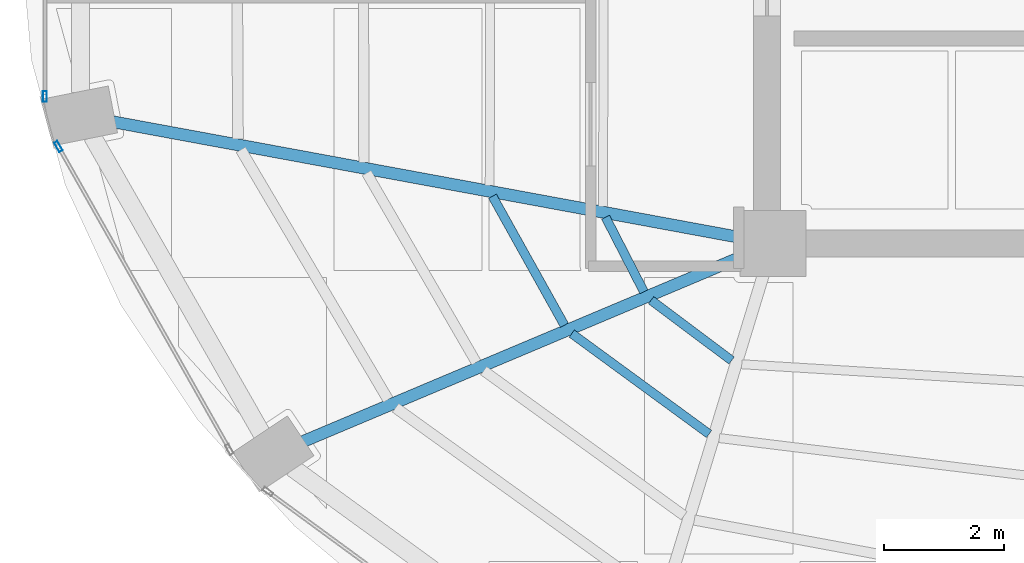
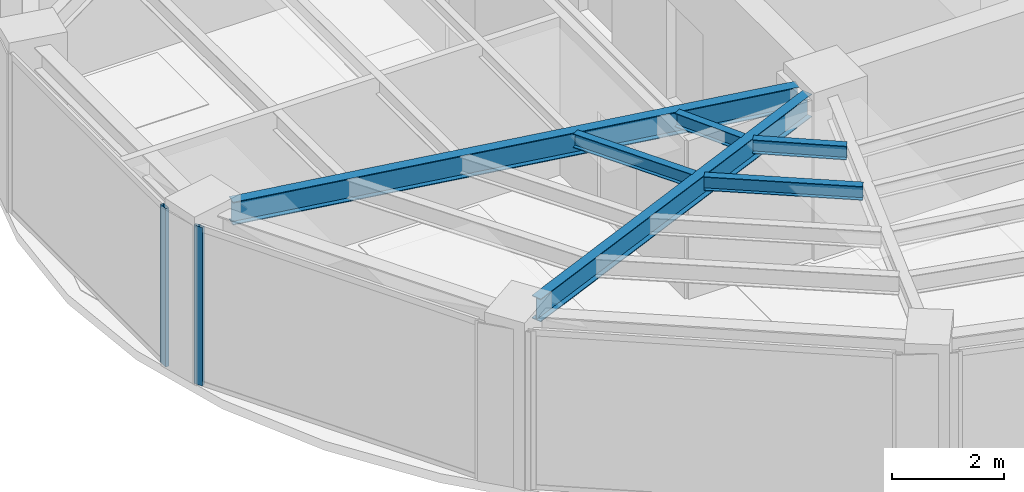
# One storey, part 4 of 22: 6 beams, 2 members, 2 elements without a shape of their own.
"""IFC4 building model written with IfcOpenShell, lengths in metres."""

import ifcopenshell
import ifcopenshell.guid

model = None  # the IFC model being written
_history = None  # IfcOwnerHistory: only IFC2X3 demands one
_inside = {}  # id of a spatial element -> (the spatial element, [elements in it])
_under = {}  # id of a project, library or spatial element -> (it, [spatial elements below it])
_declared = {}  # id of a project -> (the project, [libraries it declares])
_typed = {}  # id of a type object -> (the type object, [elements of that type])
_made_of = {}  # id of a material, layer set ... -> (it, [elements and type objects made of it])


def new_model(schema):
    """Start an empty IFC model of exactly this schema.

    Asked for "IFC4X3", IfcOpenShell would pick the latest addendum, in which some entities
    have other attributes; the version numbers below select the first issue.
    IFC2X3 requires an IfcOwnerHistory on every rooted entity: one is made here for all.
    """
    global model, _history
    if schema == "IFC4X3":
        model = ifcopenshell.file(schema_version=(4, 3, 0, 0))
    else:
        model = ifcopenshell.file(schema=schema)
    _inside.clear()
    _under.clear()
    _declared.clear()
    _typed.clear()
    _made_of.clear()
    _history = None
    if model.schema == "IFC2X3":
        org = make("IfcOrganization", Name="unknown")
        user = make(
            "IfcPersonAndOrganization",
            ThePerson=make("IfcPerson", FamilyName="unknown"),
            TheOrganization=org,
        )
        app = make(
            "IfcApplication",
            ApplicationDeveloper=org,
            Version="unknown",
            ApplicationFullName="unknown",
            ApplicationIdentifier="unknown",
        )
        _history = make(
            "IfcOwnerHistory",
            OwningUser=user,
            OwningApplication=app,
            ChangeAction="ADDED",
            CreationDate=0,
        )
    return model


def make(cls, **values):
    """One entity of the class cls with the attributes given. An attribute that is None is left unset."""
    return model.create_entity(
        cls, **{name: value for name, value in values.items() if value is not None}
    )


def rooted(cls, **values):
    """An entity with a GlobalId (a new one), such as an element, a storey or a relation."""
    return make(cls, GlobalId=ifcopenshell.guid.new(), OwnerHistory=_history, **values)


def si_unit(unit_type, name, prefix=None):
    """IfcSIUnit, for example si_unit("LENGTHUNIT", "METRE", prefix="MILLI")."""
    return make("IfcSIUnit", UnitType=unit_type, Prefix=prefix, Name=name)


def assignment(units):
    """IfcUnitAssignment: the units of a project."""
    return None if units is None else make("IfcUnitAssignment", Units=units)


def point(xyz):
    """IfcCartesianPoint."""
    return None if xyz is None else make("IfcCartesianPoint", Coordinates=xyz)


def direction(xyz):
    """IfcDirection."""
    return None if xyz is None else make("IfcDirection", DirectionRatios=xyz)


def frame(location, z_axis=None, x_axis=None):
    """IfcAxis2Placement3D, a coordinate frame: its origin and axes. An axis left out is left unset."""
    return make(
        "IfcAxis2Placement3D",
        Location=point(location),
        Axis=direction(z_axis),
        RefDirection=direction(x_axis),
    )


def frame_2d(location, x_axis=None):
    """IfcAxis2Placement2D, a coordinate frame in the plane: its origin and x axis."""
    return make(
        "IfcAxis2Placement2D", Location=point(location), RefDirection=direction(x_axis)
    )


def origin():
    """The frame at (0, 0, 0) with its axes left unset."""
    return frame((0.0, 0.0, 0.0))


def origin_2d():
    """The frame at (0, 0) in the plane with its x axis left unset."""
    return frame_2d((0.0, 0.0))


def place(relative_to, where):
    """IfcLocalPlacement: puts the frame where relative to a parent placement (None: the world)."""
    return make(
        "IfcLocalPlacement", PlacementRelTo=relative_to, RelativePlacement=where
    )


def context(
    kind, dimensions, precision=None, world=None, true_north=None, identifier=None
):
    """IfcGeometricRepresentationContext, for example the 3D "Model" context."""
    return make(
        "IfcGeometricRepresentationContext",
        ContextIdentifier=identifier,
        ContextType=kind,
        CoordinateSpaceDimension=dimensions,
        Precision=precision,
        WorldCoordinateSystem=world,
        TrueNorth=true_north,
    )


def subcontext(parent, identifier, kind, view, scale=None):
    """IfcGeometricRepresentationSubContext, for example "Body" below "Model"."""
    return make(
        "IfcGeometricRepresentationSubContext",
        ContextIdentifier=identifier,
        ContextType=kind,
        ParentContext=parent,
        TargetScale=scale,
        TargetView=view,
    )


def project(units=None, contexts=None):
    """IfcProject with its units and contexts."""
    return rooted(
        "IfcProject",
        Name="project",
        RepresentationContexts=contexts,
        UnitsInContext=assignment(units),
    )


def spatial(cls, under=None, at=None, **own):
    """A site, building, storey or space (cls), placed at a placement, below another one or the project."""
    s = rooted(cls, ObjectPlacement=at, **own)
    if under is not None:
        _under.setdefault(under.id(), (under, []))[1].append(s)
    return s


def profile(cls, at=None, kind="AREA", **sizes):
    """A parametric profile (cls). Its sizes go by their IFC names, for example OverallWidth=200.0."""
    return make(cls, ProfileType=kind, Position=at, **sizes)


def hollow_rectangle(**sizes):
    """IfcRectangleHollowProfileDef."""
    return profile("IfcRectangleHollowProfileDef", **sizes)


def i_section(**sizes):
    """IfcIShapeProfileDef."""
    return profile("IfcIShapeProfileDef", **sizes)


def extrude(swept, where, along, depth):
    """IfcExtrudedAreaSolid: the profile swept, set in the frame where, extruded along a direction by depth."""
    return make(
        "IfcExtrudedAreaSolid",
        SweptArea=swept,
        Position=where,
        ExtrudedDirection=direction(along),
        Depth=depth,
    )


def shape(context_of_items, identifier, shape_type, items):
    """IfcShapeRepresentation: the items that make up one representation, for example the "Body"."""
    return make(
        "IfcShapeRepresentation",
        ContextOfItems=context_of_items,
        RepresentationIdentifier=identifier,
        RepresentationType=shape_type,
        Items=items,
    )


def material(Name=None, Category=None):
    """IfcMaterial."""
    return make("IfcMaterial", Name=Name, Category=Category)


def layer(
    of_material, thickness, ventilated=None, Name=None, Category=None, Priority=None
):
    """IfcMaterialLayer: one layer of a wall or slab, of a material (None: an air gap)."""
    return make(
        "IfcMaterialLayer",
        Material=of_material,
        LayerThickness=thickness,
        IsVentilated=ventilated,
        Name=Name,
        Category=Category,
        Priority=Priority,
    )


def layer_set(layers, Name=None):
    """IfcMaterialLayerSet."""
    return make("IfcMaterialLayerSet", MaterialLayers=layers, LayerSetName=Name)


def material_profile(
    of_material, cross_section, Name=None, Category=None, Priority=None
):
    """IfcMaterialProfile: a cross section and its material."""
    return make(
        "IfcMaterialProfile",
        Name=Name,
        Material=of_material,
        Profile=cross_section,
        Priority=Priority,
        Category=Category,
    )


def profile_set(profiles, Name=None, composite=None):
    """IfcMaterialProfileSet."""
    return make(
        "IfcMaterialProfileSet",
        Name=Name,
        MaterialProfiles=profiles,
        CompositeProfile=composite,
    )


def made_of(thing, what):
    """Note that an element or type object is made of a material, layer set ...; save() writes the relation."""
    if what is not None:
        _made_of.setdefault(what.id(), (what, []))[1].append(thing)
    return thing


def type_object(cls, material=None, **own):
    """A type object (cls), such as IfcWallType, which elements share."""
    return made_of(rooted(cls, **own), material)


def element(
    cls,
    number,
    at=None,
    inside=None,
    cuts=None,
    type_object=None,
    material=None,
    context=None,
    identifier="Body",
    shape_type=None,
    held_by="IfcProductDefinitionShape",
    body=None,
    shapes=None,
    **own,
):
    """One element of the class cls, such as IfcWall. Its Tag is "e" and its number.

    at: its placement. inside: the storey or other place that contains it. cuts: it is an
    opening in that element (IfcRelVoidsElement). A single representation is given by context,
    identifier, shape_type and body (its items); several are given by shapes. held_by: the class
    of the entity that holds the representations. save() writes the other relations.
    """
    e = rooted(cls, Tag="e%d" % number, ObjectPlacement=at, **own)
    if body is not None:
        shapes = [shape(context, identifier, shape_type, body)]
    if shapes is not None:
        e.Representation = make(held_by, Representations=shapes)
    if inside is not None:
        _inside.setdefault(inside.id(), (inside, []))[1].append(e)
    if cuts is not None:
        rooted(
            "IfcRelVoidsElement", RelatingBuildingElement=cuts, RelatedOpeningElement=e
        )
    if type_object is not None:
        _typed.setdefault(type_object.id(), (type_object, []))[1].append(e)
    return made_of(e, material)


def aggregate(whole, parts):
    """IfcRelAggregates: a whole, such as a stair, and the parts it consists of."""
    return rooted("IfcRelAggregates", RelatingObject=whole, RelatedObjects=parts)


def save(model, path):
    """Write the relations noted so far, then the file.

    IfcRelAggregates (storeys below a building ...), IfcRelContainedInSpatialStructure (elements
    in a storey), IfcRelDefinesByType, IfcRelAssociatesMaterial and IfcRelDeclares: one each for
    every whole, place, type object, material and project.
    """
    for whole, parts in _under.values():
        aggregate(whole, parts)
    for where, things in _inside.values():
        rooted(
            "IfcRelContainedInSpatialStructure",
            RelatedElements=things,
            RelatingStructure=where,
        )
    for kind, things in _typed.values():
        rooted("IfcRelDefinesByType", RelatedObjects=things, RelatingType=kind)
    for what, things in _made_of.values():
        rooted("IfcRelAssociatesMaterial", RelatedObjects=things, RelatingMaterial=what)
    for by, libraries in _declared.values():
        rooted("IfcRelDeclares", RelatingContext=by, RelatedDefinitions=libraries)
    model.write(path)


model = new_model("IFC4")

# Units and contexts
model_context = context("Model", 3, precision=1e-05, world=origin(), true_north=direction((0.0, 1.0)))
body_context = subcontext(model_context, "Body", "Model", "MODEL_VIEW")
ifc_project = project(units=[si_unit("LENGTHUNIT", "METRE"), si_unit("AREAUNIT", "SQUARE_METRE"), si_unit("VOLUMEUNIT", "CUBIC_METRE"), si_unit("PLANEANGLEUNIT", "RADIAN"), si_unit("MASSUNIT", "GRAM", prefix="KILO")], contexts=[model_context])

# Site, building, storey
site_placement = place(None, origin())
site = spatial("IfcSite", under=ifc_project, at=site_placement, CompositionType="ELEMENT")
building_placement = place(site_placement, origin())
building = spatial("IfcBuilding", under=site, at=building_placement, Name="Lazwardi Medical Tower", CompositionType="ELEMENT")
storey_placement = place(building_placement, frame((0.0, 0.0, 238.60791015625)))
storey = spatial("IfcBuildingStorey", under=building, at=storey_placement, Name="L62", CompositionType="ELEMENT", Elevation=238.60791015625)

# Beams
ifc_material_1 = material(Name="Steel S355", Category="steel")
ifc_material_profile_1 = material_profile(ifc_material_1, i_section(OverallWidth=0.199951171875, OverallDepth=0.5, WebThickness=0.01025390625, FlangeThickness=0.01611328125, at=origin_2d()), Name="IPE 500")
ifc_profile_set_1 = profile_set([ifc_material_profile_1], Name="Steel S355")
beam_type_1 = type_object("IfcBeamType", Name="BM-RG-W3", PredefinedType="BEAM", material=ifc_profile_set_1)
beam_1_placement = place(storey_placement, frame((15.341064453125, 22.43994140625, 3.197998046875), z_axis=(0.983409341459, -0.181400295288, 0.0), x_axis=(0.181400295288, 0.983409341459, 0.0)))
element("IfcBeam", 1, at=beam_1_placement, inside=storey, type_object=beam_type_1, Name="Radial girder RG-04 R13 L62", PredefinedType="BEAM", context=body_context, shape_type="SweptSolid", body=[
    extrude(i_section(OverallWidth=0.199951171875, OverallDepth=0.5, WebThickness=0.01025390625, FlangeThickness=0.01611328125, at=origin_2d()), origin(), (0.0, 0.0, 1.0), 10.71044921875),
])
beam_2_placement = place(storey_placement, frame((18.533203125, 17.085205078125, 3.197998046875), z_axis=(0.921526791352, 0.388314785735, 0.0), x_axis=(-0.388314785735, 0.921526791352, 0.0)))
element("IfcBeam", 2, at=beam_2_placement, inside=storey, type_object=beam_type_1, Name="Radial girder RG-04 R14 L62", PredefinedType="BEAM", context=body_context, shape_type="SweptSolid", body=[
    extrude(i_section(OverallWidth=0.199951171875, OverallDepth=0.5, WebThickness=0.01025390625, FlangeThickness=0.01611328125, at=origin_2d()), origin(), (0.0, 0.0, 1.0), 8.001708984375),
])
ifc_material_profile_2 = material_profile(ifc_material_1, i_section(OverallWidth=0.14990234375, OverallDepth=0.300048828125, WebThickness=0.007080078125, FlangeThickness=0.0107421875, at=origin_2d()), Name="IPE 300")
ifc_profile_set_2 = profile_set([ifc_material_profile_2], Name="Steel S355")
beam_type_2 = type_object("IfcBeamType", Name="BM-SJ-03", PredefinedType="JOIST", material=ifc_profile_set_2)
beam_3_placement = place(storey_placement, frame((21.70703125, 21.19140625, 3.298095703125), z_axis=(0.487092942089, -0.873350139272, 0.0), x_axis=(0.873350139272, 0.487092942089, 0.0)))
element("IfcBeam", 3, at=beam_3_placement, inside=storey, type_object=beam_type_2, Name="Secondary joist SJ-03 R3 B13 L62", PredefinedType="JOIST", context=body_context, shape_type="SweptSolid", body=[
    extrude(i_section(OverallWidth=0.14990234375, OverallDepth=0.300048828125, WebThickness=0.007080078125, FlangeThickness=0.0107421875, at=origin_2d()), origin(), (0.0, 0.0, 1.0), 2.471923828125),
])
beam_4_placement = place(storey_placement, frame((23.0341796875, 18.893310546875, 3.298095703125), z_axis=(0.80703431267, -0.59050454543, 0.0), x_axis=(0.59050454543, 0.80703431267, 0.0)))
element("IfcBeam", 4, at=beam_4_placement, inside=storey, type_object=beam_type_2, Name="Secondary joist SJ-03 R3 B14 L62", PredefinedType="JOIST", context=body_context, shape_type="SweptSolid", body=[
    extrude(i_section(OverallWidth=0.14990234375, OverallDepth=0.300048828125, WebThickness=0.007080078125, FlangeThickness=0.0107421875, at=origin_2d()), origin(), (0.0, 0.0, 1.0), 2.846923828125),
])
beam_5_placement = place(storey_placement, frame((23.60009765625, 20.840087890625, 3.298095703125), z_axis=(0.457285056668, -0.889320176848, 0.0), x_axis=(0.889320176848, 0.457285056668, 0.0)))
element("IfcBeam", 5, at=beam_5_placement, inside=storey, type_object=beam_type_2, Name="Secondary joist SJ-03 R4 B13 L62", PredefinedType="JOIST", context=body_context, shape_type="SweptSolid", body=[
    extrude(i_section(OverallWidth=0.14990234375, OverallDepth=0.300048828125, WebThickness=0.007080078125, FlangeThickness=0.0107421875, at=origin_2d()), origin(), (0.0, 0.0, 1.0), 1.402099609375),
])
beam_6_placement = place(storey_placement, frame((24.36083984375, 19.451904296875, 3.298095703125), z_axis=(0.800365301971, -0.599512621553, 0.0), x_axis=(0.599512621553, 0.800365301971, 0.0)))
element("IfcBeam", 6, at=beam_6_placement, inside=storey, type_object=beam_type_2, Name="Secondary joist SJ-03 R4 B14 L62", PredefinedType="JOIST", context=body_context, shape_type="SweptSolid", body=[
    extrude(i_section(OverallWidth=0.14990234375, OverallDepth=0.300048828125, WebThickness=0.007080078125, FlangeThickness=0.0107421875, at=origin_2d()), origin(), (0.0, 0.0, 1.0), 1.68359375),
])

# Curtain wall, member
ifc_material_2 = material(Name="Anodised bronze aluminium and solar control glazing", Category="aluminium")
ifc_layer = layer(ifc_material_2, 0.18994140625)
ifc_layer_set = layer_set([ifc_layer], Name="Anodised bronze aluminium and solar control glazing")
curtain_wall_type = type_object("IfcCurtainWallType", Name="CW-SYS-04", PredefinedType="NOTDEFINED", material=ifc_layer_set)
curtain_wall_1_placement = place(storey_placement, origin())
curtain_wall_1 = element("IfcCurtainWall", 7, at=curtain_wall_1_placement, inside=storey, type_object=curtain_wall_type, Name="L62 Unitised bronze curtain wall CW-04", PredefinedType="NOTDEFINED")
ifc_material_3 = material(Name="Anodised bronze aluminium", Category="aluminium")
ifc_material_profile_3 = material_profile(ifc_material_3, hollow_rectangle(XDim=0.06494140625, YDim=0.179931640625, WallThickness=0.00390625, at=origin_2d()), Name="ALU-MULLION 180x65x4")
ifc_profile_set_3 = profile_set([ifc_material_profile_3], Name="Anodised bronze aluminium")
member_type = type_object("IfcMemberType", Name="CW-MUL-03", PredefinedType="MULLION", material=ifc_profile_set_3)
member_1_placement = place(storey_placement, frame((14.2158203125, 22.859619140625, 0.0), z_axis=(0.0, 0.0, 1.0), x_axis=(1.0, 0.0, 0.0)))
member_1 = element("IfcMember", 8, at=member_1_placement, type_object=member_type, Name="CW-04 mullion 2", PredefinedType="MULLION", context=body_context, shape_type="SweptSolid", body=[
    extrude(hollow_rectangle(XDim=0.06494140625, YDim=0.179931640625, WallThickness=0.00390625, at=origin_2d()), origin(), (0.0, 0.0, 1.0), 3.447998046875),
])
aggregate(curtain_wall_1, [member_1])

curtain_wall_2_placement = place(storey_placement, origin())
curtain_wall_2 = element("IfcCurtainWall", 9, at=curtain_wall_2_placement, inside=storey, type_object=curtain_wall_type, Name="L62 Unitised bronze curtain wall CW-04", PredefinedType="NOTDEFINED")
member_2_placement = place(storey_placement, frame((14.442626953125, 22.021728515625, 0.0), z_axis=(0.0, 0.0, 1.0), x_axis=(0.870651436011, 0.491900474661, 0.0)))
member_2 = element("IfcMember", 10, at=member_2_placement, type_object=member_type, Name="CW-04 mullion 1", PredefinedType="MULLION", context=body_context, shape_type="SweptSolid", body=[
    extrude(hollow_rectangle(XDim=0.06494140625, YDim=0.179931640625, WallThickness=0.00390625, at=origin_2d()), origin(), (0.0, 0.0, 1.0), 3.447998046875),
])
aggregate(curtain_wall_2, [member_2])

save(model, "model.ifc")
